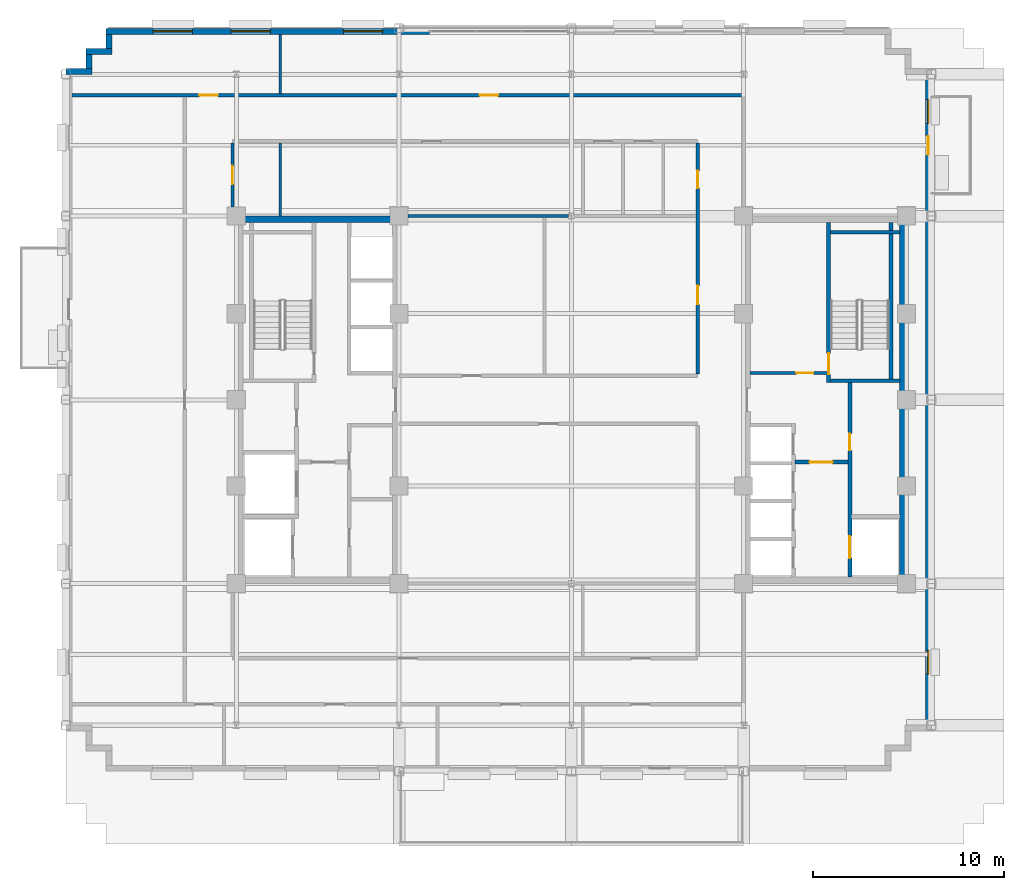
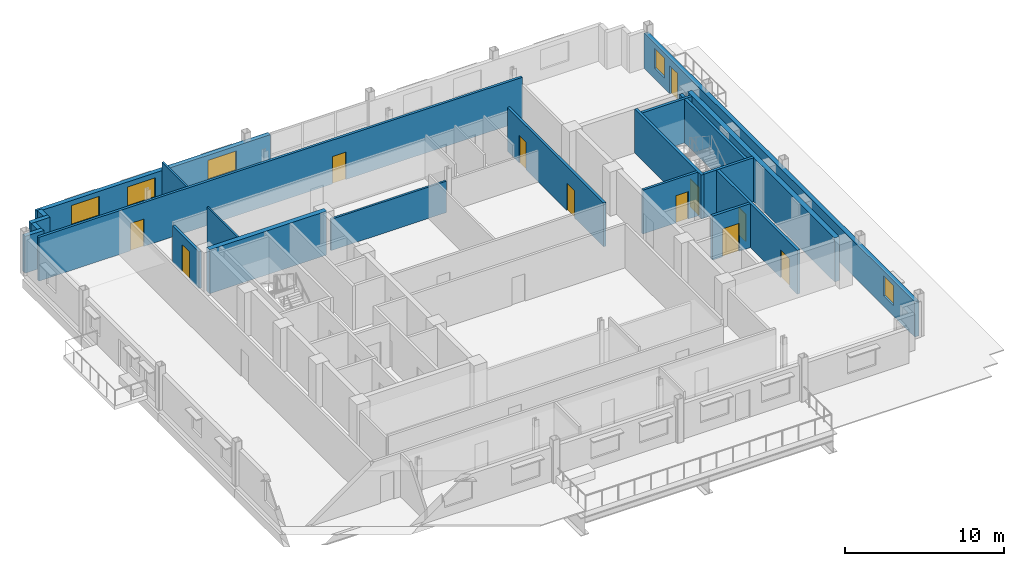
# One storey, part 9 of 16: 21 walls, 11 doors, 5 windows, 16 openings.
"""IFC4 building model written with IfcOpenShell, lengths in metres."""

from ifc_helpers import new_model, si_unit, direction, frame, frame_2d, origin, place, context, subcontext, project, spatial, rectangle, extrude, source, transform, mapped, material, layer, layer_set, type_object, type_shapes, element, fill, save


model = new_model("IFC4")

# Units and contexts
model_context = context("Model", 3, precision=1e-05, world=origin(), true_north=direction((0.0, 1.0)))
body_context = subcontext(model_context, "Body", "Model", "MODEL_VIEW")
ifc_project = project(units=[si_unit("LENGTHUNIT", "METRE"), si_unit("AREAUNIT", "SQUARE_METRE"), si_unit("VOLUMEUNIT", "CUBIC_METRE"), si_unit("PLANEANGLEUNIT", "RADIAN"), si_unit("MASSUNIT", "GRAM", prefix="KILO")], contexts=[model_context])

# Site, building, storey
site_placement = place(None, origin())
site = spatial("IfcSite", under=ifc_project, at=site_placement, CompositionType="ELEMENT")
building_placement = place(site_placement, origin())
building = spatial("IfcBuilding", under=site, at=building_placement, Name="Nuvemarco Arch Tower", CompositionType="ELEMENT")
storey_placement = place(building_placement, frame((0.0, 0.0, 209.14990234375)))
storey = spatial("IfcBuildingStorey", under=building, at=storey_placement, Name="L55", CompositionType="ELEMENT", Elevation=209.14990234375)

# Wall, openings, door, windows
ifc_material_1 = material(Name="Precast concrete C45/55", Category="concrete")
ifc_layer_1 = layer(ifc_material_1, 0.31005859375, Name="EW-UPP-310")
ifc_layer_set_1 = layer_set([ifc_layer_1], Name="Precast concrete C45/55")
wall_type_1 = type_object("IfcWallType", Name="EW-UPP-310", PredefinedType="STANDARD", material=ifc_layer_set_1)
wall_1_placement = place(storey_placement, frame((18.64501953125, -16.993896484375, 0.0), z_axis=(0.0, 0.0, 1.0), x_axis=(0.0, 1.0, 0.0)))
wall_1 = element("IfcWall", 1, at=wall_1_placement, inside=storey, type_object=wall_type_1, Name="L55 exterior precast facade wall 6", PredefinedType="STANDARD", context=body_context, shape_type="SweptSolid", body=[
    extrude(rectangle(XDim=33.98779296875, YDim=0.31005859375, at=frame_2d((16.993896484375, 0.0))), origin(), (0.0, 0.0, 1.0), 2.705078125),
])
opening_1_placement = place(wall_1_placement, frame((30.77392578125, 0.0, 0.0), z_axis=(0.0, 0.0, 1.0), x_axis=(-1.0, 0.0, 0.0)))
opening_1 = element("IfcOpeningElement", 2, at=opening_1_placement, cuts=wall_1, Name="Opening ED-6", PredefinedType="OPENING", context=body_context, shape_type="SweptSolid", body=[
    extrude(rectangle(XDim=0.97998046875, YDim=2.14990234375, at=frame_2d((0.489990234375, 1.074951171875))), frame((0.0, 0.1650390625, 0.0), z_axis=(0.0, -1.0, 0.0), x_axis=(1.0, 0.0, 0.0)), (0.0, 0.0, 1.0), 0.330078125),
])
opening_2_placement = place(wall_1_placement, frame((2.659912109375, 0.0, 0.800048828125)))
opening_2 = element("IfcOpeningElement", 3, at=opening_2_placement, cuts=wall_1, Name="Opening WN-13", PredefinedType="OPENING", context=body_context, shape_type="SweptSolid", body=[
    extrude(rectangle(XDim=1.25, YDim=1.52001953125, at=frame_2d((0.625, 0.760009765625))), frame((0.0, 0.1650390625, 0.0), z_axis=(0.0, -1.0, 0.0), x_axis=(1.0, 0.0, 0.0)), (0.0, 0.0, 1.0), 0.330078125),
])
opening_3_placement = place(wall_1_placement, frame((31.427978515625, 0.0, 0.800048828125)))
opening_3 = element("IfcOpeningElement", 4, at=opening_3_placement, cuts=wall_1, Name="Opening WN-13", PredefinedType="OPENING", context=body_context, shape_type="SweptSolid", body=[
    extrude(rectangle(XDim=1.25, YDim=1.52001953125, at=frame_2d((0.625, 0.760009765625))), frame((0.0, 0.1650390625, 0.0), z_axis=(0.0, -1.0, 0.0), x_axis=(1.0, 0.0, 0.0)), (0.0, 0.0, 1.0), 0.330078125),
])
ifc_material_2 = material(Name="Anodised bronze and laminated glass", Category="glass")
door_type_1 = type_object("IfcDoorType", Name="DR-EXT-BALC", OperationType="NOTDEFINED", PredefinedType="DOOR", material=ifc_material_2)
shared_shape_1 = source(origin(), body_context, "Body", "SweptSolid", [
    extrude(rectangle(XDim=0.97998046875, YDim=2.14990234375, at=frame_2d((0.489990234375, 1.074951171875))), frame((0.0, 0.02490234375, 0.0), z_axis=(0.0, -1.0, 0.0), x_axis=(1.0, 0.0, 0.0)), (0.0, 0.0, 1.0), 0.050048828125),
])
type_shapes(door_type_1, [shared_shape_1])
door_1_placement = place(opening_1_placement, origin())
door_1 = element("IfcDoor", 5, at=door_1_placement, inside=storey, type_object=door_type_1, Name="L55 tree balcony access door", OperationType="SINGLE_SWING_LEFT", OverallHeight=2.14990234375, OverallWidth=0.97998046875, PredefinedType="DOOR", context=body_context, shape_type="MappedRepresentation", body=[
    mapped(shared_shape_1, transform((0.0, 0.0, 0.0), scale=1.0)),
])
fill(opening_1, door_1)
ifc_material_3 = material(Name="Insulated solar-control glass", Category="glass")
window_type_1 = type_object("IfcWindowType", Name="WN-SET-1250x1520", PartitioningType="SINGLE_PANEL", PredefinedType="WINDOW", material=ifc_material_3)
shared_shape_2 = source(origin(), body_context, "Body", "SweptSolid", [
    extrude(rectangle(XDim=1.25, YDim=1.52001953125, at=frame_2d((0.625, 0.760009765625))), frame((0.0, 0.030029296875, 0.0), z_axis=(0.0, -1.0, 0.0), x_axis=(1.0, 0.0, 0.0)), (0.0, 0.0, 1.0), 0.06005859375),
])
type_shapes(window_type_1, [shared_shape_2])
window_1_placement = place(opening_2_placement, origin())
window_1 = element("IfcWindow", 6, at=window_1_placement, inside=storey, type_object=window_type_1, Name="L55 punched facade window 1", OverallHeight=1.52001953125, OverallWidth=1.25, PartitioningType="SINGLE_PANEL", PredefinedType="WINDOW", context=body_context, shape_type="MappedRepresentation", body=[
    mapped(shared_shape_2, transform((0.0, 0.0, 0.0), scale=1.0)),
])
fill(opening_2, window_1)
window_2_placement = place(opening_3_placement, origin())
window_2 = element("IfcWindow", 7, at=window_2_placement, inside=storey, type_object=window_type_1, Name="L55 punched facade window 7", OverallHeight=1.52001953125, OverallWidth=1.25, PartitioningType="SINGLE_PANEL", PredefinedType="WINDOW", context=body_context, shape_type="MappedRepresentation", body=[
    mapped(shared_shape_2, transform((0.0, 0.0, 0.0), scale=1.0)),
])
fill(opening_3, window_2)

# Wall, openings, windows
wall_2_placement = place(storey_placement, frame((-24.300048828125, 19.2451171875, 0.0), z_axis=(0.0, 0.0, 1.0), x_axis=(1.0, 0.0, 0.0)))
wall_2 = element("IfcWall", 8, at=wall_2_placement, inside=storey, type_object=wall_type_1, Name="L55 exterior precast pier wall north left", PredefinedType="STANDARD", context=body_context, shape_type="SweptSolid", body=[
    extrude(rectangle(XDim=16.900146484375, YDim=0.31005859375, at=frame_2d((8.4501953125, 0.0))), origin(), (0.0, 0.0, 1.0), 2.705078125),
])
opening_4_placement = place(wall_2_placement, frame((2.458251953125, 0.0, 0.800048828125)))
opening_4 = element("IfcOpeningElement", 9, at=opening_4_placement, cuts=wall_2, Name="Opening WN-12", PredefinedType="OPENING", context=body_context, shape_type="SweptSolid", body=[
    extrude(rectangle(XDim=2.050048828125, YDim=1.52001953125, at=frame_2d((1.02490234375, 0.760009765625))), frame((0.0, 0.1650390625, 0.0), z_axis=(0.0, -1.0, 0.0), x_axis=(1.0, 0.0, 0.0)), (0.0, 0.0, 1.0), 0.330078125),
])
opening_5_placement = place(wall_2_placement, frame((6.52490234375, 0.0, 0.800048828125)))
opening_5 = element("IfcOpeningElement", 10, at=opening_5_placement, cuts=wall_2, Name="Opening WN-12", PredefinedType="OPENING", context=body_context, shape_type="SweptSolid", body=[
    extrude(rectangle(XDim=2.050048828125, YDim=1.52001953125, at=frame_2d((1.02490234375, 0.760009765625))), frame((0.0, 0.1650390625, 0.0), z_axis=(0.0, -1.0, 0.0), x_axis=(1.0, 0.0, 0.0)), (0.0, 0.0, 1.0), 0.330078125),
])
opening_6_placement = place(wall_2_placement, frame((12.3916015625, 0.0, 0.800048828125)))
opening_6 = element("IfcOpeningElement", 11, at=opening_6_placement, cuts=wall_2, Name="Opening WN-12", PredefinedType="OPENING", context=body_context, shape_type="SweptSolid", body=[
    extrude(rectangle(XDim=2.050048828125, YDim=1.52001953125, at=frame_2d((1.02490234375, 0.760009765625))), frame((0.0, 0.1650390625, 0.0), z_axis=(0.0, -1.0, 0.0), x_axis=(1.0, 0.0, 0.0)), (0.0, 0.0, 1.0), 0.330078125),
])
window_type_2 = type_object("IfcWindowType", Name="WN-SET-2050x1520", PartitioningType="DOUBLE_PANEL_VERTICAL", PredefinedType="WINDOW", material=ifc_material_3)
shared_shape_3 = source(origin(), body_context, "Body", "SweptSolid", [
    extrude(rectangle(XDim=2.050048828125, YDim=1.52001953125, at=frame_2d((1.02490234375, 0.760009765625))), frame((0.0, 0.030029296875, 0.0), z_axis=(0.0, -1.0, 0.0), x_axis=(1.0, 0.0, 0.0)), (0.0, 0.0, 1.0), 0.06005859375),
])
type_shapes(window_type_2, [shared_shape_3])
window_3_placement = place(opening_4_placement, origin())
window_3 = element("IfcWindow", 12, at=window_3_placement, inside=storey, type_object=window_type_2, Name="L55 punched facade window 1", OverallHeight=1.52001953125, OverallWidth=2.050048828125, PartitioningType="SINGLE_PANEL", PredefinedType="WINDOW", context=body_context, shape_type="MappedRepresentation", body=[
    mapped(shared_shape_3, transform((0.0, 0.0, 0.0), scale=1.0)),
])
fill(opening_4, window_3)
window_4_placement = place(opening_5_placement, origin())
window_4 = element("IfcWindow", 13, at=window_4_placement, inside=storey, type_object=window_type_2, Name="L55 punched facade window 2", OverallHeight=1.52001953125, OverallWidth=2.050048828125, PartitioningType="SINGLE_PANEL", PredefinedType="WINDOW", context=body_context, shape_type="MappedRepresentation", body=[
    mapped(shared_shape_3, transform((0.0, 0.0, 0.0), scale=1.0)),
])
fill(opening_5, window_4)
window_5_placement = place(opening_6_placement, origin())
window_5 = element("IfcWindow", 14, at=window_5_placement, inside=storey, type_object=window_type_2, Name="L55 punched facade window 3", OverallHeight=1.52001953125, OverallWidth=2.050048828125, PartitioningType="SINGLE_PANEL", PredefinedType="WINDOW", context=body_context, shape_type="MappedRepresentation", body=[
    mapped(shared_shape_3, transform((0.0, 0.0, 0.0), scale=1.0)),
])
fill(opening_6, window_5)

# Walls
wall_3_placement = place(storey_placement, frame((-24.14501953125, 18.345947265625, 0.0), z_axis=(0.0, 0.0, 1.0), x_axis=(0.0, 1.0, 0.0)))
element("IfcWall", 15, at=wall_3_placement, inside=storey, type_object=wall_type_1, Name="L55 exterior precast facade wall 12", PredefinedType="STANDARD", context=body_context, shape_type="SweptSolid", body=[
    extrude(rectangle(XDim=0.748046875, YDim=0.31005859375, at=frame_2d((0.3740234375, 0.0))), origin(), (0.0, 0.0, 1.0), 2.816162109375),
])
wall_4_placement = place(storey_placement, frame((-25.35009765625, 18.195068359375, 0.0), z_axis=(0.0, 0.0, 1.0), x_axis=(1.0, 0.0, 0.0)))
element("IfcWall", 16, at=wall_4_placement, inside=storey, type_object=wall_type_1, Name="L55 exterior precast facade wall 13", PredefinedType="STANDARD", context=body_context, shape_type="SweptSolid", body=[
    extrude(rectangle(XDim=1.360107421875, YDim=0.31005859375, at=frame_2d((0.68017578125, 0.0))), origin(), (0.0, 0.0, 1.0), 2.816162109375),
])
wall_5_placement = place(storey_placement, frame((-25.195068359375, 17.2958984375, 0.0), z_axis=(0.0, 0.0, 1.0), x_axis=(0.0, 1.0, 0.0)))
element("IfcWall", 17, at=wall_5_placement, inside=storey, type_object=wall_type_1, Name="L55 exterior precast facade wall 14", PredefinedType="STANDARD", context=body_context, shape_type="SweptSolid", body=[
    extrude(rectangle(XDim=0.748046875, YDim=0.31005859375, at=frame_2d((0.3740234375, 0.0))), origin(), (0.0, 0.0, 1.0), 2.816162109375),
])
wall_6_placement = place(storey_placement, frame((-26.39990234375, 17.14501953125, 0.0), z_axis=(0.0, 0.0, 1.0), x_axis=(1.0, 0.0, 0.0)))
element("IfcWall", 18, at=wall_6_placement, inside=storey, type_object=wall_type_1, Name="L55 exterior precast facade wall 15", PredefinedType="STANDARD", context=body_context, shape_type="SweptSolid", body=[
    extrude(rectangle(XDim=1.35986328125, YDim=0.31005859375, at=frame_2d((0.679931640625, 0.0))), origin(), (0.0, 0.0, 1.0), 2.816162109375),
])
ifc_material_4 = material(Name="Concrete C50/60", Category="concrete")
ifc_layer_2 = layer(ifc_material_4, 0.35009765625, Name="WL-CORE-350")
ifc_layer_set_2 = layer_set([ifc_layer_2], Name="Concrete C50/60")
wall_type_2 = type_object("IfcWallType", Name="WL-CORE-350", PredefinedType="SHEAR", material=ifc_layer_set_2)
wall_7_placement = place(storey_placement, frame((-17.5, 9.425048828125, 0.0), z_axis=(0.0, 0.0, 1.0), x_axis=(1.0, 0.0, 0.0)))
element("IfcWall", 19, at=wall_7_placement, inside=storey, type_object=wall_type_2, Name="L55 W-core shear wall N", PredefinedType="SHEAR", context=body_context, shape_type="SweptSolid", body=[
    extrude(rectangle(XDim=8.5, YDim=0.35009765625, at=frame_2d((4.25, 0.0))), origin(), (0.0, 0.0, 1.0), 3.3701171875),
])
wall_8_placement = place(storey_placement, frame((17.324951171875, -9.2548828125, 0.0), z_axis=(0.0, 0.0, 1.0), x_axis=(0.0, 1.0, 0.0)))
element("IfcWall", 20, at=wall_8_placement, inside=storey, type_object=wall_type_2, Name="L55 E-core shear wall E", PredefinedType="SHEAR", context=body_context, shape_type="SweptSolid", body=[
    extrude(rectangle(XDim=18.509765625, YDim=0.35009765625, at=frame_2d((9.2548828125, 0.0))), origin(), (0.0, 0.0, 1.0), 3.3701171875),
])

# Wall, opening, door
ifc_material_5 = material(Name="Fire-rated gypsum drywall partition")
ifc_layer_3 = layer(ifc_material_5, 0.179931640625, Name="WL-CORR-180")
ifc_layer_set_3 = layer_set([ifc_layer_3], Name="Fire-rated gypsum drywall partition")
wall_type_3 = type_object("IfcWallType", Name="WL-CORR-180", PredefinedType="PARTITIONING", material=ifc_layer_set_3)
wall_9_placement = place(storey_placement, frame((9.344970703125, 1.39990234375, 0.0), z_axis=(0.0, 0.0, 1.0), x_axis=(1.0, 0.0, 0.0)))
wall_9 = element("IfcWall", 21, at=wall_9_placement, inside=storey, type_object=wall_type_3, Name="L55 interior wall IW-L55-EK-S", PredefinedType="PARTITIONING", context=body_context, shape_type="SweptSolid", body=[
    extrude(rectangle(XDim=4.0, YDim=0.179931640625, at=frame_2d((2.0, 0.0))), origin(), (0.0, 0.0, 1.0), 3.360107421875),
])
opening_7_placement = place(wall_9_placement, frame((2.4150390625, 0.0, 0.0)))
opening_7 = element("IfcOpeningElement", 22, at=opening_7_placement, cuts=wall_9, Name="Opening FD-4", PredefinedType="OPENING", context=body_context, shape_type="SweptSolid", body=[
    extrude(rectangle(XDim=0.8798828125, YDim=2.10009765625, at=frame_2d((0.43994140625, 1.050048828125))), frame((0.0, 0.099853515625, 0.0), z_axis=(0.0, -1.0, 0.0), x_axis=(1.0, 0.0, 0.0)), (0.0, 0.0, 1.0), 0.199951171875),
])
ifc_material_6 = material(Name="Anodised steel fire door", Category="steel")
door_type_2 = type_object("IfcDoorType", Name="DR-RISER-FD", OperationType="NOTDEFINED", PredefinedType="DOOR", material=ifc_material_6)
shared_shape_4 = source(origin(), body_context, "Body", "SweptSolid", [
    extrude(rectangle(XDim=0.8798828125, YDim=2.10009765625, at=frame_2d((0.43994140625, 1.050048828125))), frame((0.0, 0.02490234375, 0.0), z_axis=(0.0, -1.0, 0.0), x_axis=(1.0, 0.0, 0.0)), (0.0, 0.0, 1.0), 0.050048828125),
])
type_shapes(door_type_2, [shared_shape_4])
door_2_placement = place(opening_7_placement, origin())
door_2 = element("IfcDoor", 23, at=door_2_placement, inside=storey, type_object=door_type_2, Name="L55 door FD-L55-EK1A", OperationType="SINGLE_SWING_RIGHT", OverallHeight=2.10009765625, OverallWidth=0.8798828125, PredefinedType="DOOR", context=body_context, shape_type="MappedRepresentation", body=[
    mapped(shared_shape_4, transform((0.0, 0.0, 0.0), scale=1.0)),
])
fill(opening_7, door_2)

# Wall, openings, doors
wall_10_placement = place(storey_placement, frame((-26.090087890625, 15.89990234375, 0.0), z_axis=(0.0, 0.0, 1.0), x_axis=(1.0, 0.0, 0.0)))
wall_10 = element("IfcWall", 24, at=wall_10_placement, inside=storey, type_object=wall_type_3, Name="L55 interior wall IW-L55-010", PredefinedType="PARTITIONING", context=body_context, shape_type="SweptSolid", body=[
    extrude(rectangle(XDim=35.090087890625, YDim=0.179931640625, at=frame_2d((17.544921875, 0.0))), origin(), (0.0, 0.0, 1.0), 3.360107421875),
])
opening_8_placement = place(wall_10_placement, frame((21.304931640625, 0.0, 0.0)))
opening_8 = element("IfcOpeningElement", 25, at=opening_8_placement, cuts=wall_10, Name="Opening FD-5", PredefinedType="OPENING", context=body_context, shape_type="SweptSolid", body=[
    extrude(rectangle(XDim=0.9599609375, YDim=2.10009765625, at=frame_2d((0.47998046875, 1.050048828125))), frame((0.0, 0.099853515625, 0.0), z_axis=(0.0, -1.0, 0.0), x_axis=(1.0, 0.0, 0.0)), (0.0, 0.0, 1.0), 0.199951171875),
])
opening_9_placement = place(wall_10_placement, frame((6.659912109375, 0.0, 0.0)))
opening_9 = element("IfcOpeningElement", 26, at=opening_9_placement, cuts=wall_10, Name="Opening FD-5", PredefinedType="OPENING", context=body_context, shape_type="SweptSolid", body=[
    extrude(rectangle(XDim=0.9599609375, YDim=2.10009765625, at=frame_2d((0.47998046875, 1.050048828125))), frame((0.0, 0.099853515625, 0.0), z_axis=(0.0, -1.0, 0.0), x_axis=(1.0, 0.0, 0.0)), (0.0, 0.0, 1.0), 0.199951171875),
])
ifc_material_7 = material(Name="Timber fire door", Category="wood")
door_type_3 = type_object("IfcDoorType", Name="DR-CORR-FD", OperationType="NOTDEFINED", PredefinedType="DOOR", material=ifc_material_7)
shared_shape_5 = source(origin(), body_context, "Body", "SweptSolid", [
    extrude(rectangle(XDim=0.9599609375, YDim=2.10009765625, at=frame_2d((0.47998046875, 1.050048828125))), frame((0.0, 0.02490234375, 0.0), z_axis=(0.0, -1.0, 0.0), x_axis=(1.0, 0.0, 0.0)), (0.0, 0.0, 1.0), 0.050048828125),
])
type_shapes(door_type_3, [shared_shape_5])
door_3_placement = place(opening_8_placement, origin())
door_3 = element("IfcDoor", 27, at=door_3_placement, inside=storey, type_object=door_type_3, Name="L55 door DR-L55-N_2_2", OperationType="SINGLE_SWING_RIGHT", OverallHeight=2.10009765625, OverallWidth=0.9599609375, PredefinedType="DOOR", context=body_context, shape_type="MappedRepresentation", body=[
    mapped(shared_shape_5, transform((0.0, 0.0, 0.0), scale=1.0)),
])
fill(opening_8, door_3)
door_4_placement = place(opening_9_placement, origin())
door_4 = element("IfcDoor", 28, at=door_4_placement, inside=storey, type_object=door_type_3, Name="L55 door DR-L55-N_1", OperationType="SINGLE_SWING_RIGHT", OverallHeight=2.10009765625, OverallWidth=0.9599609375, PredefinedType="DOOR", context=body_context, shape_type="MappedRepresentation", body=[
    mapped(shared_shape_5, transform((0.0, 0.0, 0.0), scale=1.0)),
])
fill(opening_9, door_4)

# Wall, opening, door
wall_11_placement = place(storey_placement, frame((-17.699951171875, 10.071044921875, 0.0), z_axis=(0.0, 0.0, 1.0), x_axis=(0.0, 1.0, 0.0)))
wall_11 = element("IfcWall", 29, at=wall_11_placement, inside=storey, type_object=wall_type_3, Name="L55 interior wall IW-L55-014", PredefinedType="PARTITIONING", context=body_context, shape_type="SweptSolid", body=[
    extrude(rectangle(XDim=3.343017578125, YDim=0.179931640625, at=frame_2d((1.67138671875, 0.0))), origin(), (0.0, 0.0, 1.0), 2.816162109375),
])
opening_10_placement = place(wall_11_placement, frame((1.19140625, 0.0, 0.0)))
opening_10 = element("IfcOpeningElement", 30, at=opening_10_placement, cuts=wall_11, Name="Opening FD-5", PredefinedType="OPENING", context=body_context, shape_type="SweptSolid", body=[
    extrude(rectangle(XDim=0.9599609375, YDim=2.10009765625, at=frame_2d((0.47998046875, 1.050048828125))), frame((0.0, 0.099853515625, 0.0), z_axis=(0.0, -1.0, 0.0), x_axis=(1.0, 0.0, 0.0)), (0.0, 0.0, 1.0), 0.199951171875),
])
door_5_placement = place(opening_10_placement, origin())
door_5 = element("IfcDoor", 31, at=door_5_placement, inside=storey, type_object=door_type_3, Name="L55 door DR-L55-IN_N1", OperationType="SINGLE_SWING_LEFT", OverallHeight=2.10009765625, OverallWidth=0.9599609375, PredefinedType="DOOR", context=body_context, shape_type="MappedRepresentation", body=[
    mapped(shared_shape_5, transform((0.0, 0.0, 0.0), scale=1.0)),
])
fill(opening_10, door_5)

# Wall, openings, doors
wall_12_placement = place(storey_placement, frame((6.60009765625, 1.3359375, 0.0), z_axis=(0.0, 0.0, 1.0), x_axis=(0.0, 1.0, 0.0)))
wall_12 = element("IfcWall", 32, at=wall_12_placement, inside=storey, type_object=wall_type_3, Name="L55 interior wall IW-L55-025", PredefinedType="PARTITIONING", context=body_context, shape_type="SweptSolid", body=[
    extrude(rectangle(XDim=12.078125, YDim=0.179931640625, at=frame_2d((6.0390625, 0.0))), origin(), (0.0, 0.0, 1.0), 3.360107421875),
])
opening_11_placement = place(wall_12_placement, frame((3.652099609375, 0.0, 0.0)))
opening_11 = element("IfcOpeningElement", 33, at=opening_11_placement, cuts=wall_12, Name="Opening FD-5", PredefinedType="OPENING", context=body_context, shape_type="SweptSolid", body=[
    extrude(rectangle(XDim=0.9599609375, YDim=2.10009765625, at=frame_2d((0.47998046875, 1.050048828125))), frame((0.0, 0.099853515625, 0.0), z_axis=(0.0, -1.0, 0.0), x_axis=(1.0, 0.0, 0.0)), (0.0, 0.0, 1.0), 0.199951171875),
])
opening_12_placement = place(wall_12_placement, frame((9.720947265625, 0.0, 0.0)))
opening_12 = element("IfcOpeningElement", 34, at=opening_12_placement, cuts=wall_12, Name="Opening ID-3", PredefinedType="OPENING", context=body_context, shape_type="SweptSolid", body=[
    extrude(rectangle(XDim=0.89990234375, YDim=2.10009765625, at=frame_2d((0.449951171875, 1.050048828125))), frame((0.0, 0.099853515625, 0.0), z_axis=(0.0, -1.0, 0.0), x_axis=(1.0, 0.0, 0.0)), (0.0, 0.0, 1.0), 0.199951171875),
])
door_6_placement = place(opening_11_placement, origin())
door_6 = element("IfcDoor", 35, at=door_6_placement, inside=storey, type_object=door_type_3, Name="L55 door DR-L55-C_N2", OperationType="SINGLE_SWING_LEFT", OverallHeight=2.10009765625, OverallWidth=0.9599609375, PredefinedType="DOOR", context=body_context, shape_type="MappedRepresentation", body=[
    mapped(shared_shape_5, transform((0.0, 0.0, 0.0), scale=1.0)),
])
fill(opening_11, door_6)
ifc_material_8 = material(Name="Veneered oak timber fire door", Category="wood")
door_type_4 = type_object("IfcDoorType", Name="DR-WC-ACC", OperationType="NOTDEFINED", PredefinedType="DOOR", material=ifc_material_8)
shared_shape_6 = source(origin(), body_context, "Body", "SweptSolid", [
    extrude(rectangle(XDim=0.89990234375, YDim=2.10009765625, at=frame_2d((0.449951171875, 1.050048828125))), frame((0.0, 0.02490234375, 0.0), z_axis=(0.0, -1.0, 0.0), x_axis=(1.0, 0.0, 0.0)), (0.0, 0.0, 1.0), 0.050048828125),
])
type_shapes(door_type_4, [shared_shape_6])
door_7_placement = place(opening_12_placement, origin())
door_7 = element("IfcDoor", 36, at=door_7_placement, inside=storey, type_object=door_type_4, Name="L55 door DR-L55-WC_ACC", OperationType="SINGLE_SWING_RIGHT", OverallHeight=2.10009765625, OverallWidth=0.89990234375, PredefinedType="DOOR", context=body_context, shape_type="MappedRepresentation", body=[
    mapped(shared_shape_6, transform((0.0, 0.0, 0.0), scale=1.0)),
])
fill(opening_12, door_7)

# Walls
ifc_material_9 = material(Name="Glazed acoustic office partition")
ifc_layer_4 = layer(ifc_material_9, 0.1298828125, Name="WL-EXEC-130")
ifc_layer_set_4 = layer_set([ifc_layer_4], Name="Glazed acoustic office partition")
wall_type_4 = type_object("IfcWallType", Name="WL-EXEC-130", PredefinedType="PARTITIONING", material=ifc_layer_set_4)
wall_13_placement = place(storey_placement, frame((-15.2099609375, 9.60009765625, 0.0), z_axis=(0.0, 0.0, 1.0), x_axis=(0.0, 1.0, 0.0)))
element("IfcWall", 37, at=wall_13_placement, inside=storey, type_object=wall_type_4, Name="L55 interior wall IW-L55-015", PredefinedType="PARTITIONING", context=body_context, shape_type="SweptSolid", body=[
    extrude(rectangle(XDim=3.81396484375, YDim=0.1298828125, at=frame_2d((1.906982421875, 0.0))), origin(), (0.0, 0.0, 1.0), 3.360107421875),
])
wall_14_placement = place(storey_placement, frame((-15.2099609375, 15.986083984375, 0.0), z_axis=(0.0, 0.0, 1.0), x_axis=(0.0, 1.0, 0.0)))
element("IfcWall", 38, at=wall_14_placement, inside=storey, type_object=wall_type_4, Name="L55 interior wall IW-L55-016", PredefinedType="PARTITIONING", context=body_context, shape_type="SweptSolid", body=[
    extrude(rectangle(XDim=3.10400390625, YDim=0.1298828125, at=frame_2d((1.552001953125, 0.0))), origin(), (0.0, 0.0, 1.0), 3.360107421875),
])

# Wall, opening, door
ifc_layer_5 = layer(ifc_material_4, 0.199951171875, Name="WL-SHAFT-220")
ifc_layer_set_5 = layer_set([ifc_layer_5], Name="Concrete C50/60")
wall_type_5 = type_object("IfcWallType", Name="WL-SHAFT-220", PredefinedType="SHEAR", material=ifc_layer_set_5)
wall_15_placement = place(storey_placement, frame((13.43994140625, 0.89990234375, 0.0), z_axis=(0.0, 0.0, 1.0), x_axis=(0.0, 1.0, 0.0)))
wall_15 = element("IfcWall", 39, at=wall_15_placement, inside=storey, type_object=wall_type_5, Name="L55 structural shaft wall SW-L55-E-ST2W", PredefinedType="SHEAR", context=body_context, shape_type="SweptSolid", body=[
    extrude(rectangle(XDim=8.35498046875, YDim=0.199951171875, at=frame_2d((4.177490234375, 0.0))), origin(), (0.0, 0.0, 1.0), 3.3701171875),
])
opening_13_placement = place(wall_15_placement, frame((0.429931640625, 0.0, 0.0)))
opening_13 = element("IfcOpeningElement", 40, at=opening_13_placement, cuts=wall_15, Name="Opening FD-1", PredefinedType="OPENING", context=body_context, shape_type="SweptSolid", body=[
    extrude(rectangle(XDim=1.10009765625, YDim=2.14990234375, at=frame_2d((0.550048828125, 1.074951171875))), frame((0.0, 0.10986328125, 0.0), z_axis=(0.0, -1.0, 0.0), x_axis=(1.0, 0.0, 0.0)), (0.0, 0.0, 1.0), 0.219970703125),
])
door_type_5 = type_object("IfcDoorType", Name="DR-STAIR-FD", OperationType="NOTDEFINED", PredefinedType="DOOR", material=ifc_material_6)
shared_shape_7 = source(origin(), body_context, "Body", "SweptSolid", [
    extrude(rectangle(XDim=1.10009765625, YDim=2.14990234375, at=frame_2d((0.550048828125, 1.074951171875))), frame((0.0, 0.02490234375, 0.0), z_axis=(0.0, -1.0, 0.0), x_axis=(1.0, 0.0, 0.0)), (0.0, 0.0, 1.0), 0.050048828125),
])
type_shapes(door_type_5, [shared_shape_7])
door_8_placement = place(opening_13_placement, origin())
door_8 = element("IfcDoor", 41, at=door_8_placement, inside=storey, type_object=door_type_5, Name="L55 door FD-L55-ST2", OperationType="SINGLE_SWING_LEFT", OverallHeight=2.14990234375, OverallWidth=1.10009765625, PredefinedType="DOOR", context=body_context, shape_type="MappedRepresentation", body=[
    mapped(shared_shape_7, transform((0.0, 0.0, 0.0), scale=1.0)),
])
fill(opening_13, door_8)

# Walls
for number, where, z_axis, x_axis, name in (
    (42, (13.534912109375, 1.0, 0.0), (0.0, 0.0, 1.0), (1.0, 0.0, 0.0), "L55 structural shaft wall SW-L55-E-ST2S"),
    (43, (13.534912109375, 8.75, 0.0), (0.0, 0.0, 1.0), (1.0, 0.0, 0.0), "L55 structural shaft wall SW-L55-E-ST2N"),
):
    element("IfcWall", number, at=place(storey_placement, frame(where, z_axis=z_axis, x_axis=x_axis)), inside=storey, type_object=wall_type_5, Name=name, PredefinedType="SHEAR", context=body_context, shape_type="SweptSolid", body=[
        extrude(rectangle(XDim=3.6201171875, YDim=0.199951171875, at=frame_2d((1.81005859375, 0.0))), origin(), (0.0, 0.0, 1.0), 3.3701171875),
    ])
wall_16_placement = place(storey_placement, frame((16.699951171875, 1.094970703125, 0.0), z_axis=(0.0, 0.0, 1.0), x_axis=(0.0, 1.0, 0.0)))
element("IfcWall", 44, at=wall_16_placement, inside=storey, type_object=wall_type_5, Name="L55 structural shaft wall SW-L55-E-ST2E", PredefinedType="SHEAR", context=body_context, shape_type="SweptSolid", body=[
    extrude(rectangle(XDim=8.159912109375, YDim=0.199951171875, at=frame_2d((4.080078125, 0.0))), origin(), (0.0, 0.0, 1.0), 3.3701171875),
])

# Wall, openings, doors
wall_17_placement = place(storey_placement, frame((14.550048828125, -9.2548828125, 0.0), z_axis=(0.0, 0.0, 1.0), x_axis=(0.0, 1.0, 0.0)))
wall_17 = element("IfcWall", 45, at=wall_17_placement, inside=storey, type_object=wall_type_5, Name="L55 structural shaft wall SW-L55-E-SHW", PredefinedType="SHEAR", context=body_context, shape_type="SweptSolid", body=[
    extrude(rectangle(XDim=10.159912109375, YDim=0.199951171875, at=frame_2d((5.080078125, 0.0))), origin(), (0.0, 0.0, 1.0), 3.3701171875),
])
opening_14_placement = place(wall_17_placement, frame((6.614990234375, 0.0, 0.0)))
opening_14 = element("IfcOpeningElement", 46, at=opening_14_placement, cuts=wall_17, Name="Opening FD-4", PredefinedType="OPENING", context=body_context, shape_type="SweptSolid", body=[
    extrude(rectangle(XDim=0.8798828125, YDim=2.10009765625, at=frame_2d((0.43994140625, 1.050048828125))), frame((0.0, 0.10986328125, 0.0), z_axis=(0.0, -1.0, 0.0), x_axis=(1.0, 0.0, 0.0)), (0.0, 0.0, 1.0), 0.219970703125),
])
opening_15_placement = place(wall_17_placement, frame((0.97998046875, 0.0, 0.0)))
opening_15 = element("IfcOpeningElement", 47, at=opening_15_placement, cuts=wall_17, Name="Opening LD-2", PredefinedType="OPENING", context=body_context, shape_type="SweptSolid", body=[
    extrude(rectangle(XDim=1.14990234375, YDim=2.14990234375, at=frame_2d((0.574951171875, 1.074951171875))), frame((0.0, 0.10986328125, 0.0), z_axis=(0.0, -1.0, 0.0), x_axis=(1.0, 0.0, 0.0)), (0.0, 0.0, 1.0), 0.219970703125),
])
door_9_placement = place(opening_14_placement, origin())
door_9 = element("IfcDoor", 48, at=door_9_placement, inside=storey, type_object=door_type_2, Name="L55 door FD-L55-ERIS", OperationType="SINGLE_SWING_LEFT", OverallHeight=2.10009765625, OverallWidth=0.8798828125, PredefinedType="DOOR", context=body_context, shape_type="MappedRepresentation", body=[
    mapped(shared_shape_4, transform((0.0, 0.0, 0.0), scale=1.0)),
])
fill(opening_14, door_9)
ifc_material_10 = material(Name="Stainless steel lift door", Category="steel")
door_type_6 = type_object("IfcDoorType", Name="DR-LIFT-FIRE", OperationType="DOUBLE_DOOR_SLIDING", PredefinedType="DOOR", material=ifc_material_10)
shared_shape_8 = source(origin(), body_context, "Body", "SweptSolid", [
    extrude(rectangle(XDim=1.14990234375, YDim=2.14990234375, at=frame_2d((0.574951171875, 1.074951171875))), frame((0.0, 0.02490234375, 0.0), z_axis=(0.0, -1.0, 0.0), x_axis=(1.0, 0.0, 0.0)), (0.0, 0.0, 1.0), 0.050048828125),
])
type_shapes(door_type_6, [shared_shape_8])
door_10_placement = place(opening_15_placement, origin())
door_10 = element("IfcDoor", 49, at=door_10_placement, inside=storey, type_object=door_type_6, Name="L55 Lift landing sliding door FFL-2", OperationType="DOUBLE_DOOR_SLIDING", OverallHeight=2.14990234375, OverallWidth=1.14990234375, PredefinedType="DOOR", context=body_context, shape_type="MappedRepresentation", body=[
    mapped(shared_shape_8, transform((0.0, 0.0, 0.0), scale=1.0)),
])
fill(opening_15, door_10)

# Wall, opening, door
wall_18_placement = place(storey_placement, frame((11.695068359375, -3.25, 0.0), z_axis=(0.0, 0.0, 1.0), x_axis=(1.0, 0.0, 0.0)))
wall_18 = element("IfcWall", 50, at=wall_18_placement, inside=storey, type_object=wall_type_5, Name="L55 structural shaft wall SW-L55-E-FFN", PredefinedType="SHEAR", context=body_context, shape_type="SweptSolid", body=[
    extrude(rectangle(XDim=2.760009765625, YDim=0.199951171875, at=frame_2d((1.3798828125, 0.0))), origin(), (0.0, 0.0, 1.0), 3.3701171875),
])
opening_16_placement = place(wall_18_placement, frame((0.7548828125, 0.0, 0.0)))
opening_16 = element("IfcOpeningElement", 51, at=opening_16_placement, cuts=wall_18, Name="Opening FD-2", PredefinedType="OPENING", context=body_context, shape_type="SweptSolid", body=[
    extrude(rectangle(XDim=1.199951171875, YDim=2.14990234375, at=frame_2d((0.60009765625, 1.074951171875))), frame((0.0, 0.10986328125, 0.0), z_axis=(0.0, -1.0, 0.0), x_axis=(1.0, 0.0, 0.0)), (0.0, 0.0, 1.0), 0.219970703125),
])
door_type_7 = type_object("IfcDoorType", Name="DR-FFLOB-FD", OperationType="NOTDEFINED", PredefinedType="DOOR", material=ifc_material_6)
shared_shape_9 = source(origin(), body_context, "Body", "SweptSolid", [
    extrude(rectangle(XDim=1.199951171875, YDim=2.14990234375, at=frame_2d((0.60009765625, 1.074951171875))), frame((0.0, 0.02490234375, 0.0), z_axis=(0.0, -1.0, 0.0), x_axis=(1.0, 0.0, 0.0)), (0.0, 0.0, 1.0), 0.050048828125),
])
type_shapes(door_type_7, [shared_shape_9])
door_11_placement = place(opening_16_placement, origin())
door_11 = element("IfcDoor", 52, at=door_11_placement, inside=storey, type_object=door_type_7, Name="L55 door FD-L55-EFF2", OperationType="SINGLE_SWING_LEFT", OverallHeight=2.14990234375, OverallWidth=1.199951171875, PredefinedType="DOOR", context=body_context, shape_type="MappedRepresentation", body=[
    mapped(shared_shape_9, transform((0.0, 0.0, 0.0), scale=1.0)),
])
fill(opening_16, door_11)

# Wall
ifc_material_11 = material(Name="Moisture-resistant gypsum partition")
ifc_layer_6 = layer(ifc_material_11, 0.14990234375, Name="WL-WET-150")
ifc_layer_set_6 = layer_set([ifc_layer_6], Name="Moisture-resistant gypsum partition")
wall_type_6 = type_object("IfcWallType", Name="WL-WET-150", PredefinedType="PARTITIONING", material=ifc_layer_set_6)
wall_19_placement = place(storey_placement, frame((-8.529052734375, 9.60009765625, 0.0), z_axis=(0.0, 0.0, 1.0), x_axis=(1.0, 0.0, 0.0)))
element("IfcWall", 53, at=wall_19_placement, inside=storey, type_object=wall_type_6, Name="L55 interior wall IW-L55-007", PredefinedType="PARTITIONING", context=body_context, shape_type="SweptSolid", body=[
    extrude(rectangle(XDim=8.378173828125, YDim=0.14990234375, at=frame_2d((4.18896484375, 0.0))), origin(), (0.0, 0.0, 1.0), 2.405029296875),
])

save(model, "model.ifc")
